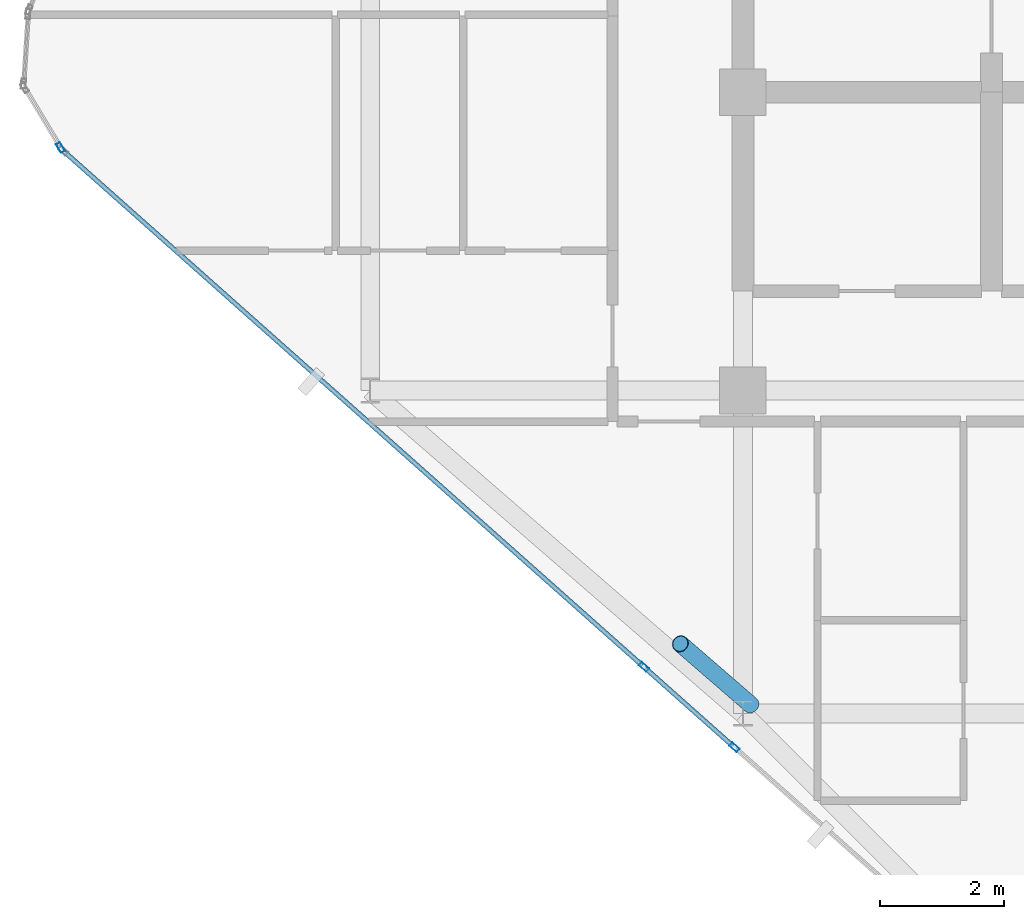
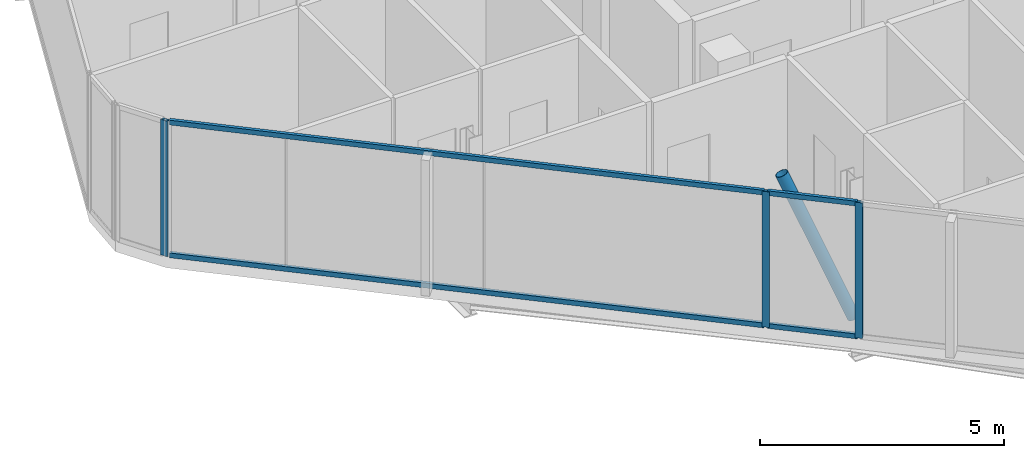
# One storey, part 3 of 27: 8 members, 4 elements without a shape of their own.
"""IFC4 building model written with IfcOpenShell, lengths in metres."""

from ifc_helpers import new_model, si_unit, direction, frame, origin, origin_2d, place, context, subcontext, project, spatial, hollow_rectangle, hollow_circle, extrude, material, layer, layer_set, material_profile, profile_set, type_object, element, aggregate, save


model = new_model("IFC4")

# Units and contexts
model_context = context("Model", 3, precision=1e-05, world=origin(), true_north=direction((0.0, 1.0)))
body_context = subcontext(model_context, "Body", "Model", "MODEL_VIEW")
ifc_project = project(units=[si_unit("LENGTHUNIT", "METRE"), si_unit("AREAUNIT", "SQUARE_METRE"), si_unit("VOLUMEUNIT", "CUBIC_METRE"), si_unit("PLANEANGLEUNIT", "RADIAN"), si_unit("MASSUNIT", "GRAM", prefix="KILO")], contexts=[model_context])

# Site, building, storey
site_placement = place(None, origin())
site = spatial("IfcSite", under=ifc_project, at=site_placement, CompositionType="ELEMENT")
building_placement = place(site_placement, origin())
building = spatial("IfcBuilding", under=site, at=building_placement, Name="Keshet Zoharim Tower", CompositionType="ELEMENT")
storey_placement = place(building_placement, frame((0.0, 0.0, 273.199951171875)))
storey = spatial("IfcBuildingStorey", under=building, at=storey_placement, Name="L68", CompositionType="ELEMENT", Elevation=273.199951171875)

# Curtain wall, member
ifc_material_1 = material(Name="Aluminium 6063-T6", Category="aluminium")
ifc_layer = layer(ifc_material_1, 0.260009765625)
ifc_layer_set = layer_set([ifc_layer], Name="Aluminium 6063-T6")
curtain_wall_type = type_object("IfcCurtainWallType", Name="CW-SYS-06", PredefinedType="NOTDEFINED", material=ifc_layer_set)
curtain_wall_1_placement = place(storey_placement, origin())
curtain_wall_1 = element("IfcCurtainWall", 1, at=curtain_wall_1_placement, inside=storey, type_object=curtain_wall_type, Name="L68 Unitised Curtain Wall 01", PredefinedType="NOTDEFINED")
ifc_material_profile_1 = material_profile(ifc_material_1, hollow_rectangle(XDim=0.074951171875, YDim=0.159912109375, WallThickness=0.00390625, at=origin_2d()), Name="MUL-75x160")
ifc_profile_set_1 = profile_set([ifc_material_profile_1], Name="Aluminium 6063-T6")
member_type_1 = type_object("IfcMemberType", Name="CWM-M15", PredefinedType="MULLION", material=ifc_profile_set_1)
member_1_placement = place(storey_placement, frame((4.016845703125, 21.81005859375, 0.0), z_axis=(0.0, 0.0, 1.0), x_axis=(-0.856826433805, -0.515604947933, 0.0)))
member_1 = element("IfcMember", 2, at=member_1_placement, type_object=member_type_1, Name="CW-06 mullion 1", PredefinedType="MULLION", context=body_context, shape_type="SweptSolid", body=[
    extrude(hollow_rectangle(XDim=0.074951171875, YDim=0.159912109375, WallThickness=0.00390625, at=origin_2d()), origin(), (0.0, 0.0, 1.0), 3.39013671875),
])
aggregate(curtain_wall_1, [member_1])

curtain_wall_2_placement = place(storey_placement, origin())
curtain_wall_2 = element("IfcCurtainWall", 3, at=curtain_wall_2_placement, inside=storey, type_object=curtain_wall_type, Name="L68 Unitised Curtain Wall 16", PredefinedType="NOTDEFINED")
member_2_placement = place(storey_placement, frame((14.863037109375, 12.155029296875, 0.0), z_axis=(0.0, 0.0, 1.0), x_axis=(-0.664362180559, -0.747410792699, 0.0)))
member_2 = element("IfcMember", 4, at=member_2_placement, type_object=member_type_1, Name="CW-06 mullion 2", PredefinedType="MULLION", context=body_context, shape_type="SweptSolid", body=[
    extrude(hollow_rectangle(XDim=0.074951171875, YDim=0.159912109375, WallThickness=0.00390625, at=origin_2d()), origin(), (0.0, 0.0, 1.0), 3.39013671875),
])
aggregate(curtain_wall_2, [member_2])

# Curtain wall, members
curtain_wall_3_placement = place(storey_placement, origin())
curtain_wall_3 = element("IfcCurtainWall", 5, at=curtain_wall_3_placement, inside=storey, type_object=curtain_wall_type, Name="L68 Unitised Curtain Wall 16 Part 2", PredefinedType="NOTDEFINED")
member_3_placement = place(storey_placement, frame((13.40576171875, 13.450439453125, 0.0), z_axis=(0.0, 0.0, 1.0), x_axis=(-0.664338369143, -0.747431957629, 0.0)))
member_3 = element("IfcMember", 6, at=member_3_placement, type_object=member_type_1, Name="CW-06 mullion 2", PredefinedType="MULLION", context=body_context, shape_type="SweptSolid", body=[
    extrude(hollow_rectangle(XDim=0.074951171875, YDim=0.159912109375, WallThickness=0.00390625, at=origin_2d()), origin(), (0.0, 0.0, 1.0), 3.39013671875),
])
ifc_material_profile_2 = material_profile(ifc_material_1, hollow_rectangle(XDim=0.074951171875, YDim=0.1201171875, WallThickness=0.00390625, at=origin_2d()), Name="TRN-75x120")
ifc_profile_set_2 = profile_set([ifc_material_profile_2], Name="Aluminium 6063-T6")
member_type_2 = type_object("IfcMemberType", Name="CWT-T12", PredefinedType="USERDEFINED", material=ifc_profile_set_2)
member_4_placement = place(storey_placement, frame((14.8369140625, 12.178466796875, 0.03515625), z_axis=(-0.747452318941, 0.664315460387, 0.0), x_axis=(-0.664315460387, -0.747452318941, 0.0)))
member_4 = element("IfcMember", 7, at=member_4_placement, type_object=member_type_2, Name="CW-06 transom 1.1", ObjectType="TRANSOM", PredefinedType="USERDEFINED", context=body_context, shape_type="SweptSolid", body=[
    extrude(hollow_rectangle(XDim=0.074951171875, YDim=0.1201171875, WallThickness=0.00390625, at=origin_2d()), origin(), (0.0, 0.0, 1.0), 1.87939453125),
])
member_5_placement = place(storey_placement, frame((14.8369140625, 12.178466796875, 3.35498046875), z_axis=(-0.747452318941, 0.664315460387, 0.0), x_axis=(-0.664315460387, -0.747452318941, 0.0)))
member_5 = element("IfcMember", 8, at=member_5_placement, type_object=member_type_2, Name="CW-06 transom 1.2", ObjectType="TRANSOM", PredefinedType="USERDEFINED", context=body_context, shape_type="SweptSolid", body=[
    extrude(hollow_rectangle(XDim=0.074951171875, YDim=0.1201171875, WallThickness=0.00390625, at=origin_2d()), origin(), (0.0, 0.0, 1.0), 1.87939453125),
])
aggregate(curtain_wall_3, [member_3, member_4, member_5])

curtain_wall_4_placement = place(storey_placement, origin())
curtain_wall_4 = element("IfcCurtainWall", 9, at=curtain_wall_4_placement, inside=storey, type_object=curtain_wall_type, Name="L68 Unitised Curtain Wall 16 Part 3", PredefinedType="NOTDEFINED")
member_6_placement = place(storey_placement, frame((13.379638671875, 13.4736328125, 0.03515625), z_axis=(-0.747409318684, 0.66436383883, 0.0), x_axis=(-0.66436383883, -0.747409318684, 0.0)))
member_6 = element("IfcMember", 10, at=member_6_placement, type_object=member_type_2, Name="CW-06 transom 1.1", ObjectType="TRANSOM", PredefinedType="USERDEFINED", context=body_context, shape_type="SweptSolid", body=[
    extrude(hollow_rectangle(XDim=0.074951171875, YDim=0.1201171875, WallThickness=0.00390625, at=origin_2d()), origin(), (0.0, 0.0, 1.0), 12.4326171875),
])
member_7_placement = place(storey_placement, frame((13.379638671875, 13.4736328125, 3.35498046875), z_axis=(-0.747409318684, 0.66436383883, 0.0), x_axis=(-0.66436383883, -0.747409318684, 0.0)))
member_7 = element("IfcMember", 11, at=member_7_placement, type_object=member_type_2, Name="CW-06 transom 1.2", ObjectType="TRANSOM", PredefinedType="USERDEFINED", context=body_context, shape_type="SweptSolid", body=[
    extrude(hollow_rectangle(XDim=0.074951171875, YDim=0.1201171875, WallThickness=0.00390625, at=origin_2d()), origin(), (0.0, 0.0, 1.0), 12.4326171875),
])
aggregate(curtain_wall_4, [member_6, member_7])

# Member
ifc_material_2 = material(Name="Steel S355", Category="steel")
ifc_material_profile_3 = material_profile(ifc_material_2, hollow_circle(Radius=0.136474609375, WallThickness=0.010009765625, at=origin_2d()), Name="CHS273x10")
ifc_profile_set_3 = profile_set([ifc_material_profile_3], Name="Steel S355")
member_type_3 = type_object("IfcMemberType", Name="MB-BR-C273", PredefinedType="BRACE", material=ifc_profile_set_3)
member_8_placement = place(storey_placement, frame((15.1259765625, 12.842041015625, 0.0), z_axis=(-0.305901085163, 0.264872801835, 0.914476311855), x_axis=(-0.654589683411, -0.755984355904, 0.0)))
element("IfcMember", 12, at=member_8_placement, inside=storey, type_object=member_type_3, Name="L68 Perimeter Tube Brace 01", PredefinedType="BRACE", context=body_context, shape_type="SweptSolid", body=[
    extrude(hollow_circle(Radius=0.136474609375, WallThickness=0.010009765625, at=origin_2d()), origin(), (0.0, 0.0, 1.0), 3.707275390625),
])

save(model, "model.ifc")
